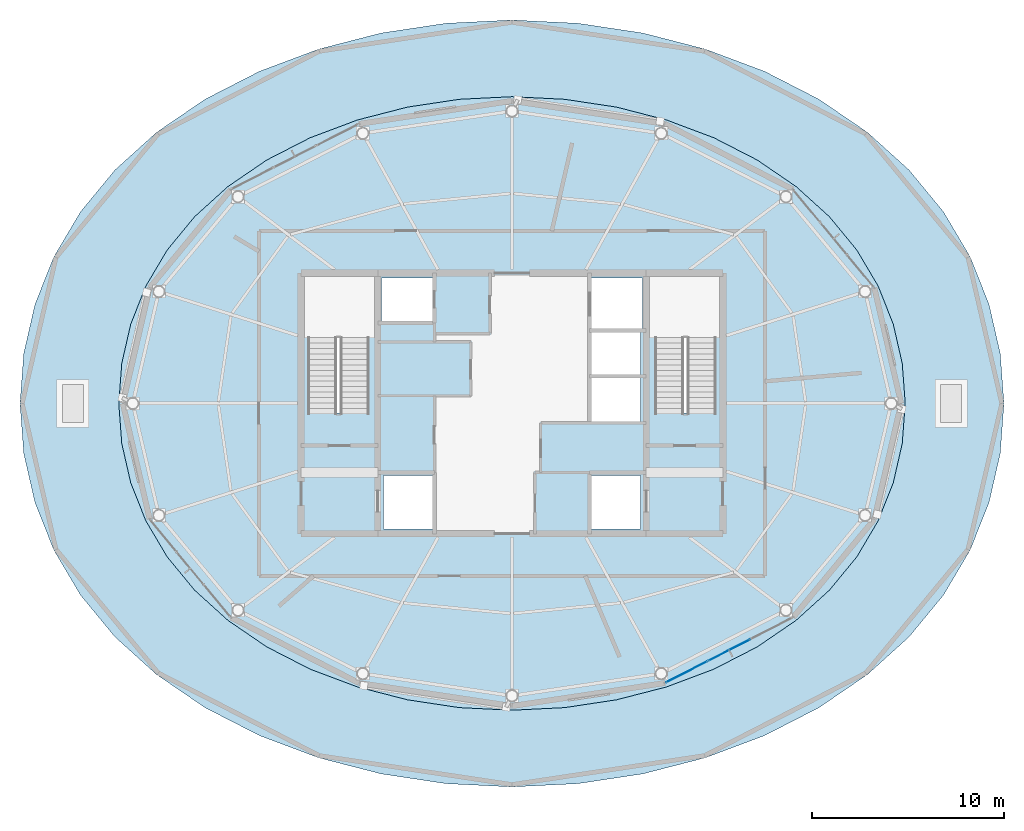
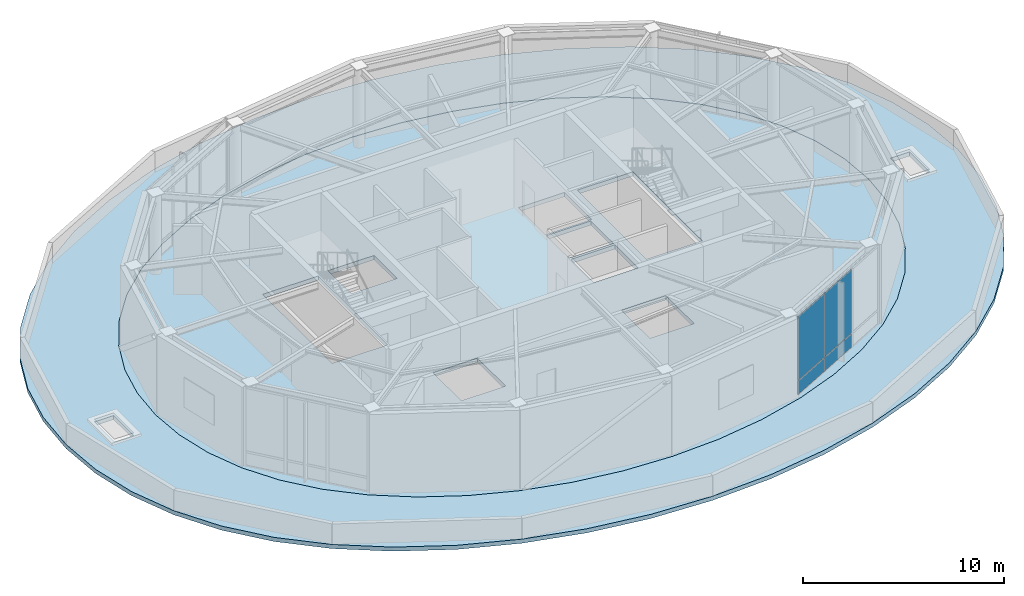
# One storey, part 11 of 15: 4 plates, 2 slabs, 1 element without a shape of its own.
"""IFC4 building model written with IfcOpenShell, lengths in metres."""

from ifc_helpers import new_model, si_unit, direction, frame, origin, origin_2d, place, context, subcontext, project, spatial, polyline, rectangle, outline, extrude, material, layer, layer_set, type_object, element, aggregate, save


model = new_model("IFC4")

# Units and contexts
model_context = context("Model", 3, precision=1e-05, world=origin(), true_north=direction((0.0, 1.0)))
body_context = subcontext(model_context, "Body", "Model", "MODEL_VIEW")
ifc_project = project(units=[si_unit("LENGTHUNIT", "METRE"), si_unit("AREAUNIT", "SQUARE_METRE"), si_unit("VOLUMEUNIT", "CUBIC_METRE"), si_unit("PLANEANGLEUNIT", "RADIAN"), si_unit("MASSUNIT", "GRAM", prefix="KILO")], contexts=[model_context])

# Site, building, storey
site_placement = place(None, origin())
site = spatial("IfcSite", under=ifc_project, at=site_placement, CompositionType="ELEMENT")
building_placement = place(site_placement, origin())
building = spatial("IfcBuilding", under=site, at=building_placement, Name="Sarneth Arch Tower", CompositionType="ELEMENT")
storey_placement = place(building_placement, frame((0.0, 0.0, 316.5)))
storey = spatial("IfcBuildingStorey", under=building, at=storey_placement, Name="L82", CompositionType="ELEMENT", Elevation=316.5)

# Curtain wall, plates
ifc_material_1 = material(Name="Anodised aluminium Type AA25 and solar-control low-e laminated IGU", Category="aluminium")
ifc_layer_1 = layer(ifc_material_1, 0.18994140625)
ifc_layer_set_1 = layer_set([ifc_layer_1], Name="Anodised aluminium Type AA25 and solar-control low-e laminated IGU")
curtain_wall_type = type_object("IfcCurtainWallType", Name="CW-CROWN-DRUM", PredefinedType="NOTDEFINED", material=ifc_layer_set_1)
curtain_wall_placement = place(storey_placement, origin())
curtain_wall = element("IfcCurtainWall", 1, at=curtain_wall_placement, inside=storey, type_object=curtain_wall_type, Name="L82 Unitised curtain wall facet 14", PredefinedType="NOTDEFINED")
ifc_material_2 = material(Name="Solar-control low-e laminated IGU", Category="glass")
ifc_layer_2 = layer(ifc_material_2, 0.028076171875)
ifc_layer_set_2 = layer_set([ifc_layer_2], Name="Solar-control low-e laminated IGU")
plate_type = type_object("IfcPlateType", Name="CW-PANEL", PredefinedType="CURTAIN_PANEL", material=ifc_layer_set_2)
plate_1_placement = place(storey_placement, frame((57.111572265625, 27.998046875, 0.06005859375), z_axis=(0.0, 0.0, 1.0), x_axis=(0.8899590948, 0.456040359598, 0.0)))
plate_1 = element("IfcPlate", 2, at=plate_1_placement, type_object=plate_type, Name="Curtain wall glazed vision pane CW-L82-F14/P00-00", PredefinedType="CURTAIN_PANEL", context=body_context, shape_type="SweptSolid", body=[
    extrude(rectangle(XDim=2.41015625, YDim=0.028076171875, at=origin_2d()), origin(), (0.0, 0.0, 1.0), 0.81005859375),
])
plate_2_placement = place(storey_placement, frame((57.111572265625, 27.998046875, 0.929931640625), z_axis=(0.0, 0.0, 1.0), x_axis=(0.8899590948, 0.456040359598, 0.0)))
plate_2 = element("IfcPlate", 3, at=plate_2_placement, type_object=plate_type, Name="Curtain wall glazed vision pane CW-L82-F14/P00-01", PredefinedType="CURTAIN_PANEL", context=body_context, shape_type="SweptSolid", body=[
    extrude(rectangle(XDim=2.41015625, YDim=0.028076171875, at=origin_2d()), origin(), (0.0, 0.0, 1.0), 3.85009765625),
])
plate_3_placement = place(storey_placement, frame((59.3232421875, 29.131591796875, 0.06005859375), z_axis=(0.0, 0.0, 1.0), x_axis=(0.8899590948, 0.456040359598, 0.0)))
plate_3 = element("IfcPlate", 4, at=plate_3_placement, type_object=plate_type, Name="Curtain wall glazed vision pane CW-L82-F14/P01-00", PredefinedType="CURTAIN_PANEL", context=body_context, shape_type="SweptSolid", body=[
    extrude(rectangle(XDim=2.440185546875, YDim=0.028076171875, at=origin_2d()), origin(), (0.0, 0.0, 1.0), 0.81005859375),
])
plate_4_placement = place(storey_placement, frame((59.3232421875, 29.131591796875, 0.929931640625), z_axis=(0.0, 0.0, 1.0), x_axis=(0.8899590948, 0.456040359598, 0.0)))
plate_4 = element("IfcPlate", 5, at=plate_4_placement, type_object=plate_type, Name="Curtain wall glazed vision pane CW-L82-F14/P01-01", PredefinedType="CURTAIN_PANEL", context=body_context, shape_type="SweptSolid", body=[
    extrude(rectangle(XDim=2.440185546875, YDim=0.028076171875, at=origin_2d()), origin(), (0.0, 0.0, 1.0), 3.85009765625),
])
aggregate(curtain_wall, [plate_1, plate_2, plate_3, plate_4])

# Slabs
ifc_material_3 = material(Name="Concrete C50/60", Category="concrete")
ifc_layer_3 = layer(ifc_material_3, 0.25)
ifc_layer_set_3 = layer_set([ifc_layer_3], Name="Concrete C50/60")
slab_type_1 = type_object("IfcSlabType", Name="SLAB-PODROOF-250", PredefinedType="ROOF", material=ifc_layer_set_3)
slab_1_placement = place(storey_placement, frame((0.0, 0.0, -0.25)))
element("IfcSlab", 6, at=slab_1_placement, inside=storey, type_object=slab_type_1, Name="L82 Setback maintenance roof ring", PredefinedType="ROOF", context=body_context, shape_type="SweptSolid", body=[
    extrude(outline(polyline([(73.660888671875, 42.0), (73.466064453125, 44.610595703125), (72.87890625, 47.17626953125), (71.892822265625, 49.653564453125), (70.5029296875, 52.0), (68.712158203125, 54.17529296875), (66.536865234375, 56.14208984375), (64.009521484375, 57.8671875), (61.177001953125, 59.320556640625), (58.0966796875, 60.4775390625), (54.83203125, 61.318603515625), (51.44580078125, 61.828857421875), (48.0, 62.0), (44.55419921875, 61.828857421875), (41.16796875, 61.318603515625), (37.9033203125, 60.4775390625), (34.822998046875, 59.320556640625), (31.990478515625, 57.8671875), (29.463134765625, 56.14208984375), (27.287841796875, 54.17529296875), (25.4970703125, 52.0), (24.107177734375, 49.653564453125), (23.12109375, 47.17626953125), (22.533935546875, 44.610595703125), (22.339111328125, 42.0), (22.533935546875, 39.389404296875), (23.12109375, 36.82373046875), (24.107177734375, 34.346435546875), (25.4970703125, 32.0), (27.287841796875, 29.82470703125), (29.463134765625, 27.85791015625), (31.990478515625, 26.1328125), (34.822998046875, 24.679443359375), (37.9033203125, 23.5224609375), (41.16796875, 22.681396484375), (44.55419921875, 22.171142578125), (48.0, 22.0), (51.44580078125, 22.171142578125), (54.83203125, 22.681396484375), (58.0966796875, 23.5224609375), (61.177001953125, 24.679443359375), (64.009521484375, 26.1328125), (66.536865234375, 27.85791015625), (68.712158203125, 29.82470703125), (70.5029296875, 32.0), (71.892822265625, 34.346435546875), (72.87890625, 36.82373046875), (73.466064453125, 39.389404296875), (73.660888671875, 42.0)]), holes=[polyline([(68.50927734375, 42.0), (68.353515625, 44.08837890625), (67.88427734375, 46.14111328125), (67.09619140625, 48.123046875), (65.9853515625, 50.0), (64.553955078125, 51.740234375), (62.8154296875, 53.313720703125), (60.79541015625, 54.693603515625), (58.531494140625, 55.8564453125), (56.06982421875, 56.781982421875), (53.46044921875, 57.454833984375), (50.754150390625, 57.863037109375), (48.0, 58.0), (45.245849609375, 57.863037109375), (42.53955078125, 57.454833984375), (39.93017578125, 56.781982421875), (37.468505859375, 55.8564453125), (35.20458984375, 54.693603515625), (33.1845703125, 53.313720703125), (31.446044921875, 51.740234375), (30.0146484375, 50.0), (28.90380859375, 48.123046875), (28.11572265625, 46.14111328125), (27.646484375, 44.08837890625), (27.49072265625, 42.0), (27.646484375, 39.91162109375), (28.11572265625, 37.85888671875), (28.90380859375, 35.876953125), (30.0146484375, 34.0), (31.446044921875, 32.259765625), (33.1845703125, 30.686279296875), (35.20458984375, 29.306396484375), (37.468505859375, 28.1435546875), (39.93017578125, 27.218017578125), (42.53955078125, 26.545166015625), (45.245849609375, 26.136962890625), (48.0, 26.0), (50.754150390625, 26.136962890625), (53.46044921875, 26.545166015625), (56.06982421875, 27.218017578125), (58.531494140625, 28.1435546875), (60.79541015625, 29.306396484375), (62.8154296875, 30.686279296875), (64.553955078125, 32.259765625), (65.9853515625, 34.0), (67.09619140625, 35.876953125), (67.88427734375, 37.85888671875), (68.353515625, 39.91162109375), (68.50927734375, 42.0)]), polyline([(70.35009765625, 41.0), (71.449951171875, 41.0), (71.449951171875, 43.0), (70.35009765625, 43.0), (70.35009765625, 41.0)]), polyline([(24.550048828125, 41.0), (25.64990234375, 41.0), (25.64990234375, 43.0), (24.550048828125, 43.0), (24.550048828125, 41.0)])]), origin(), (0.0, 0.0, 1.0), 0.25),
])
ifc_material_4 = material(Name="Concrete C50/60", Category="concrete")
ifc_layer_4 = layer(ifc_material_4, 0.260009765625)
ifc_layer_set_4 = layer_set([ifc_layer_4], Name="Concrete C50/60")
slab_type_2 = type_object("IfcSlabType", Name="SLAB-ROOF-260", PredefinedType="ROOF", material=ifc_layer_set_4)
slab_2_placement = place(storey_placement, frame((0.0, 0.0, -0.260009765625)))
element("IfcSlab", 7, at=slab_2_placement, inside=storey, type_object=slab_type_2, Name="L82 Elliptical floor slab", PredefinedType="ROOF", context=body_context, shape_type="SweptSolid", body=[
    extrude(outline(polyline([(68.50927734375, 42.0), (68.353515625, 44.08837890625), (67.88427734375, 46.14111328125), (67.09619140625, 48.123046875), (65.9853515625, 50.0), (64.553955078125, 51.740234375), (62.8154296875, 53.313720703125), (60.79541015625, 54.693603515625), (58.531494140625, 55.8564453125), (56.06982421875, 56.781982421875), (53.46044921875, 57.454833984375), (50.754150390625, 57.863037109375), (48.0, 58.0), (45.245849609375, 57.863037109375), (42.53955078125, 57.454833984375), (39.93017578125, 56.781982421875), (37.468505859375, 55.8564453125), (35.20458984375, 54.693603515625), (33.1845703125, 53.313720703125), (31.446044921875, 51.740234375), (30.0146484375, 50.0), (28.90380859375, 48.123046875), (28.11572265625, 46.14111328125), (27.646484375, 44.08837890625), (27.49072265625, 42.0), (27.646484375, 39.91162109375), (28.11572265625, 37.85888671875), (28.90380859375, 35.876953125), (30.0146484375, 34.0), (31.446044921875, 32.259765625), (33.1845703125, 30.686279296875), (35.20458984375, 29.306396484375), (37.468505859375, 28.1435546875), (39.93017578125, 27.218017578125), (42.53955078125, 26.545166015625), (45.245849609375, 26.136962890625), (48.0, 26.0), (50.754150390625, 26.136962890625), (53.46044921875, 26.545166015625), (56.06982421875, 27.218017578125), (58.531494140625, 28.1435546875), (60.79541015625, 29.306396484375), (62.8154296875, 30.686279296875), (64.553955078125, 32.259765625), (65.9853515625, 34.0), (67.09619140625, 35.876953125), (67.88427734375, 37.85888671875), (68.353515625, 39.91162109375), (68.50927734375, 42.0)]), holes=[polyline([(37.35009765625, 41.489990234375), (40.550048828125, 41.489990234375), (40.550048828125, 48.39990234375), (37.35009765625, 48.39990234375), (37.35009765625, 41.489990234375)]), polyline([(55.449951171875, 41.489990234375), (58.64990234375, 41.489990234375), (58.64990234375, 48.39990234375), (55.449951171875, 48.39990234375), (55.449951171875, 41.489990234375)]), polyline([(41.199951171875, 46.25), (43.85009765625, 46.25), (43.85009765625, 48.550048828125), (41.199951171875, 48.550048828125), (41.199951171875, 46.25)]), polyline([(41.300048828125, 35.449951171875), (43.85009765625, 35.449951171875), (43.85009765625, 38.25), (41.300048828125, 38.25), (41.300048828125, 35.449951171875)]), polyline([(52.14990234375, 35.449951171875), (54.699951171875, 35.449951171875), (54.699951171875, 38.25), (52.14990234375, 38.25), (52.14990234375, 35.449951171875)]), polyline([(52.14990234375, 45.85009765625), (54.800048828125, 45.85009765625), (54.800048828125, 48.550048828125), (52.14990234375, 48.550048828125), (52.14990234375, 45.85009765625)]), polyline([(52.14990234375, 41.050048828125), (54.699951171875, 41.050048828125), (54.699951171875, 43.35009765625), (52.14990234375, 43.35009765625), (52.14990234375, 41.050048828125)]), polyline([(52.14990234375, 43.5), (54.699951171875, 43.5), (54.699951171875, 45.75), (52.14990234375, 45.75), (52.14990234375, 43.5)])]), origin(), (0.0, 0.0, 1.0), 0.260009765625),
])

save(model, "model.ifc")
